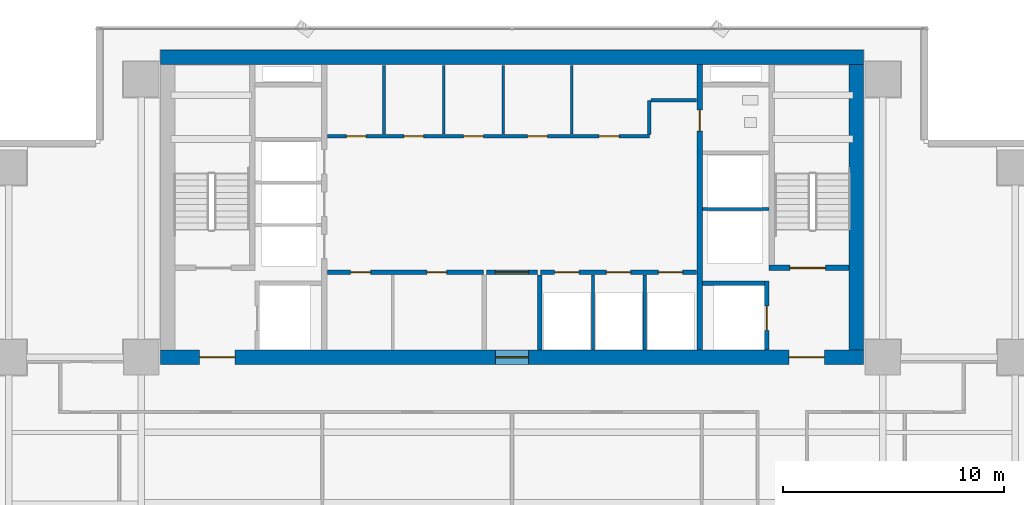
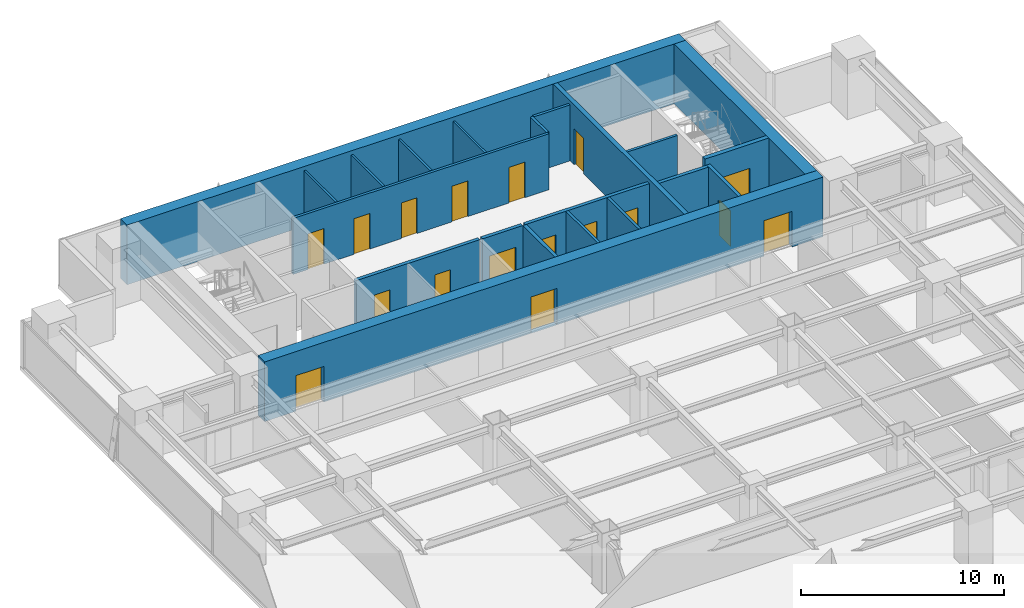
# One storey, part 22 of 28: 21 walls, 17 doors, 17 openings.
"""IFC4 building model written with IfcOpenShell, lengths in metres."""

from ifc_helpers import new_model, si_unit, direction, frame, frame_2d, origin, place, context, subcontext, project, spatial, rectangle, extrude, source, transform, mapped, material, layer, layer_set, type_object, element, fill, save


model = new_model("IFC4")

# Units and contexts
model_context = context("Model", 3, precision=1e-05, world=origin(), true_north=direction((0.0, 1.0)))
body_context = subcontext(model_context, "Body", "Model", "MODEL_VIEW")
ifc_project = project(units=[si_unit("LENGTHUNIT", "METRE"), si_unit("AREAUNIT", "SQUARE_METRE"), si_unit("VOLUMEUNIT", "CUBIC_METRE"), si_unit("PLANEANGLEUNIT", "RADIAN"), si_unit("MASSUNIT", "GRAM", prefix="KILO")], contexts=[model_context])

# Site, building, storey
site_placement = place(None, origin())
site = spatial("IfcSite", under=ifc_project, at=site_placement, CompositionType="ELEMENT")
building_placement = place(site_placement, origin())
building = spatial("IfcBuilding", under=site, at=building_placement, Name="Sumidabori Civic Tower", CompositionType="ELEMENT")
storey_placement = place(building_placement, frame((0.0, 0.0, 182.0)))
storey = spatial("IfcBuildingStorey", under=building, at=storey_placement, Name="L47", CompositionType="ELEMENT", Elevation=182.0)

# Walls
ifc_material_1 = material(Name="Concrete C50/60", Category="concrete")
ifc_layer_1 = layer(ifc_material_1, 0.199951171875, Name="Concrete C50/60")
ifc_layer_set_1 = layer_set([ifc_layer_1], Name="Concrete C50/60")
wall_type_1 = type_object("IfcWallType", Name="WL-SHAFT-200", PredefinedType="SHEAR", material=ifc_layer_set_1)
shared_shape_1 = source(origin(), body_context, "Body", "SweptSolid", [
    extrude(rectangle(XDim=2.824951171875, YDim=0.199951171875, at=frame_2d((1.41259765625, 0.0))), origin(), (0.0, 0.0, 1.0), 3.60009765625),
])
wall_1_placement = place(storey_placement, frame((8.625, 13.550048828125, 0.0), z_axis=(0.0, 0.0, 1.0), x_axis=(1.0, 0.0, 0.0)))
element("IfcWall", 1, at=wall_1_placement, inside=storey, type_object=wall_type_1, Name="Core Shear Wall L47 EL2-N", PredefinedType="SHEAR", context=body_context, shape_type="MappedRepresentation", body=[
    mapped(shared_shape_1, transform((0.0, 0.0, 0.0), x_axis=(1.0, 0.0, 0.0), y_axis=(0.0, 1.0, 0.0), z_axis=(0.0, 0.0, 1.0), scale=1.0)),
])
ifc_material_2 = material(Name="Concrete C60/75", Category="concrete")
ifc_layer_2 = layer(ifc_material_2, 0.64990234375, Name="Concrete C60/75")
ifc_layer_set_2 = layer_set([ifc_layer_2], Name="Concrete C60/75")
wall_type_2 = type_object("IfcWallType", Name="WL-CORE-650", PredefinedType="SHEAR", material=ifc_layer_set_2)
shared_shape_2 = source(origin(), body_context, "Body", "SweptSolid", [
    extrude(rectangle(XDim=31.85009765625, YDim=0.64990234375, at=frame_2d((15.925048828125, 0.0))), origin(), (0.0, 0.0, 1.0), 3.60009765625),
])
wall_2_placement = place(storey_placement, frame((-15.925048828125, 23.800048828125, 0.0), z_axis=(0.0, 0.0, 1.0), x_axis=(1.0, 0.0, 0.0)))
element("IfcWall", 2, at=wall_2_placement, inside=storey, type_object=wall_type_2, Name="Core Shear Wall L47 N", PredefinedType="SHEAR", context=body_context, shape_type="MappedRepresentation", body=[
    mapped(shared_shape_2, transform((0.0, 0.0, 0.0), x_axis=(1.0, 0.0, 0.0), y_axis=(0.0, 1.0, 0.0), z_axis=(0.0, 0.0, 1.0), scale=1.0)),
])

# Wall, openings, doors
wall_3_placement = place(storey_placement, frame((-15.925048828125, 10.199951171875, 0.0), z_axis=(0.0, 0.0, 1.0), x_axis=(1.0, 0.0, 0.0)))
wall_3 = element("IfcWall", 3, at=wall_3_placement, inside=storey, type_object=wall_type_2, Name="Core Shear Wall L47 S", PredefinedType="SHEAR", context=body_context, shape_type="MappedRepresentation", body=[
    mapped(shared_shape_2, transform((0.0, 0.0, 0.0), x_axis=(1.0, 0.0, 0.0), y_axis=(0.0, 1.0, 0.0), z_axis=(0.0, 0.0, 1.0), scale=1.0)),
])
opening_1_placement = place(wall_3_placement, frame((1.77490234375, 0.0, 0.0)))
opening_1 = element("IfcOpeningElement", 4, at=opening_1_placement, cuts=wall_3, Name="Opening DR-FD4", PredefinedType="OPENING", context=body_context, shape_type="SweptSolid", body=[
    extrude(rectangle(XDim=1.60009765625, YDim=2.14990234375, at=frame_2d((0.800048828125, 1.074951171875))), frame((0.0, 0.3369140625, 0.0), z_axis=(0.0, -1.0, 0.0), x_axis=(1.0, 0.0, 0.0)), (0.0, 0.0, 1.0), 0.673828125),
])
opening_2_placement = place(wall_3_placement, frame((28.47509765625, 0.0, 0.0)))
opening_2 = element("IfcOpeningElement", 5, at=opening_2_placement, cuts=wall_3, Name="Opening DR-FD4", PredefinedType="OPENING", context=body_context, shape_type="SweptSolid", body=[
    extrude(rectangle(XDim=1.60009765625, YDim=2.14990234375, at=frame_2d((0.800048828125, 1.074951171875))), frame((0.0, 0.3369140625, 0.0), z_axis=(0.0, -1.0, 0.0), x_axis=(1.0, 0.0, 0.0)), (0.0, 0.0, 1.0), 0.673828125),
])
opening_3_placement = place(wall_3_placement, frame((15.175048828125, 0.0, 0.0)))
opening_3 = element("IfcOpeningElement", 6, at=opening_3_placement, cuts=wall_3, Name="Opening DR-FD3", PredefinedType="OPENING", context=body_context, shape_type="SweptSolid", body=[
    extrude(rectangle(XDim=1.5, YDim=2.199951171875, at=frame_2d((0.75, 1.10009765625))), frame((0.0, 0.3369140625, 0.0), z_axis=(0.0, -1.0, 0.0), x_axis=(1.0, 0.0, 0.0)), (0.0, 0.0, 1.0), 0.673828125),
])
ifc_material_3 = material(Name="Steel SN490", Category="steel")
door_type_1 = type_object("IfcDoorType", Name="DR-FD4", OperationType="DOUBLE_DOOR_SINGLE_SWING", PredefinedType="DOOR", material=ifc_material_3)
shared_shape_3 = source(origin(), body_context, "Body", "SweptSolid", [
    extrude(rectangle(XDim=1.60009765625, YDim=2.14990234375, at=frame_2d((0.800048828125, 1.074951171875))), frame((0.0, 0.02490234375, 0.0), z_axis=(0.0, -1.0, 0.0), x_axis=(1.0, 0.0, 0.0)), (0.0, 0.0, 1.0), 0.050048828125),
])
door_1_placement = place(opening_1_placement, origin())
door_1 = element("IfcDoor", 7, at=door_1_placement, inside=storey, type_object=door_type_1, Name="Door DR:L47:ELOB-W", OperationType="DOUBLE_DOOR_SINGLE_SWING", OverallHeight=2.14990234375, OverallWidth=1.60009765625, PredefinedType="DOOR", context=body_context, shape_type="MappedRepresentation", body=[
    mapped(shared_shape_3, transform((0.0, 0.0, 0.0), x_axis=(1.0, 0.0, 0.0), y_axis=(0.0, 1.0, 0.0), z_axis=(0.0, 0.0, 1.0), scale=1.0)),
])
fill(opening_1, door_1)
door_2_placement = place(opening_2_placement, origin())
door_2 = element("IfcDoor", 8, at=door_2_placement, inside=storey, type_object=door_type_1, Name="Door DR:L47:ELOB-E", OperationType="DOUBLE_DOOR_SINGLE_SWING", OverallHeight=2.14990234375, OverallWidth=1.60009765625, PredefinedType="DOOR", context=body_context, shape_type="MappedRepresentation", body=[
    mapped(shared_shape_3, transform((0.0, 0.0, 0.0), x_axis=(1.0, 0.0, 0.0), y_axis=(0.0, 1.0, 0.0), z_axis=(0.0, 0.0, 1.0), scale=1.0)),
])
fill(opening_2, door_2)
door_type_2 = type_object("IfcDoorType", Name="DR-FD-DBL", OperationType="DOUBLE_DOOR_SINGLE_SWING", PredefinedType="DOOR", material=ifc_material_3)
shared_shape_4 = source(origin(), body_context, "Body", "SweptSolid", [
    extrude(rectangle(XDim=1.5, YDim=2.199951171875, at=frame_2d((0.75, 1.10009765625))), frame((0.0, 0.02490234375, 0.0), z_axis=(0.0, -1.0, 0.0), x_axis=(1.0, 0.0, 0.0)), (0.0, 0.0, 1.0), 0.050048828125),
])
door_3_placement = place(opening_3_placement, origin())
door_3 = element("IfcDoor", 9, at=door_3_placement, inside=storey, type_object=door_type_2, Name="Door DR:L47:THROAT-OUT", OperationType="DOUBLE_DOOR_SINGLE_SWING", OverallHeight=2.199951171875, OverallWidth=1.5, PredefinedType="DOOR", context=body_context, shape_type="MappedRepresentation", body=[
    mapped(shared_shape_4, transform((0.0, 0.0, 0.0), x_axis=(1.0, 0.0, 0.0), y_axis=(0.0, 1.0, 0.0), z_axis=(0.0, 0.0, 1.0), scale=1.0)),
])
fill(opening_3, door_3)

# Wall
shared_shape_5 = source(origin(), body_context, "Body", "SweptSolid", [
    extrude(rectangle(XDim=12.9501953125, YDim=0.64990234375, at=frame_2d((6.47509765625, 0.0))), origin(), (0.0, 0.0, 1.0), 3.60009765625),
])
wall_4_placement = place(storey_placement, frame((15.60009765625, 10.52490234375, 0.0), z_axis=(0.0, 0.0, 1.0), x_axis=(0.0, 1.0, 0.0)))
element("IfcWall", 10, at=wall_4_placement, inside=storey, type_object=wall_type_2, Name="Core Shear Wall L47 E", PredefinedType="SHEAR", context=body_context, shape_type="MappedRepresentation", body=[
    mapped(shared_shape_5, transform((0.0, 0.0, 0.0), x_axis=(1.0, 0.0, 0.0), y_axis=(0.0, 1.0, 0.0), z_axis=(0.0, 0.0, 1.0), scale=1.0)),
])

# Wall, opening, door
ifc_layer_3 = layer(ifc_material_1, 0.25, Name="Concrete C50/60")
ifc_layer_set_3 = layer_set([ifc_layer_3], Name="Concrete C50/60")
wall_type_3 = type_object("IfcWallType", Name="WL-SHAFT-250", PredefinedType="SHEAR", material=ifc_layer_set_3)
shared_shape_6 = source(origin(), body_context, "Body", "SweptSolid", [
    extrude(rectangle(XDim=12.9501953125, YDim=0.25, at=frame_2d((6.47509765625, 0.0))), origin(), (0.0, 0.0, 1.0), 3.60009765625),
])
wall_5_placement = place(storey_placement, frame((8.5, 10.52490234375, 0.0), z_axis=(0.0, 0.0, 1.0), x_axis=(0.0, 1.0, 0.0)))
wall_5 = element("IfcWall", 11, at=wall_5_placement, inside=storey, type_object=wall_type_3, Name="Core Shear Wall L47 WEB-E", PredefinedType="SHEAR", context=body_context, shape_type="MappedRepresentation", body=[
    mapped(shared_shape_6, transform((0.0, 0.0, 0.0), x_axis=(1.0, 0.0, 0.0), y_axis=(0.0, 1.0, 0.0), z_axis=(0.0, 0.0, 1.0), scale=1.0)),
])
opening_4_placement = place(wall_5_placement, frame((9.925048828125, 0.0, 0.0)))
opening_4 = element("IfcOpeningElement", 12, at=opening_4_placement, cuts=wall_5, Name="Opening DR-2", PredefinedType="OPENING", context=body_context, shape_type="SweptSolid", body=[
    extrude(rectangle(XDim=0.949951171875, YDim=2.14990234375, at=frame_2d((0.47509765625, 1.074951171875))), frame((0.0, 0.136962890625, 0.0), z_axis=(0.0, -1.0, 0.0), x_axis=(1.0, 0.0, 0.0)), (0.0, 0.0, 1.0), 0.27392578125),
])
ifc_material_4 = material(Name="Japanese Hinoki Timber", Category="wood")
door_type_3 = type_object("IfcDoorType", Name="DR-INT-950", OperationType="NOTDEFINED", PredefinedType="DOOR", material=ifc_material_4)
shared_shape_7 = source(origin(), body_context, "Body", "SweptSolid", [
    extrude(rectangle(XDim=0.949951171875, YDim=2.14990234375, at=frame_2d((0.47509765625, 1.074951171875))), frame((0.0, 0.02490234375, 0.0), z_axis=(0.0, -1.0, 0.0), x_axis=(1.0, 0.0, 0.0)), (0.0, 0.0, 1.0), 0.050048828125),
])
door_4_placement = place(opening_4_placement, origin())
door_4 = element("IfcDoor", 13, at=door_4_placement, inside=storey, type_object=door_type_3, Name="Door DR:L47:WC-ACC", OperationType="SINGLE_SWING_RIGHT", OverallHeight=2.14990234375, OverallWidth=0.949951171875, PredefinedType="DOOR", context=body_context, shape_type="MappedRepresentation", body=[
    mapped(shared_shape_7, transform((0.0, 0.0, 0.0), x_axis=(1.0, 0.0, 0.0), y_axis=(0.0, 1.0, 0.0), z_axis=(0.0, 0.0, 1.0), scale=1.0)),
])
fill(opening_4, door_4)

shared_shape_8 = source(origin(), body_context, "Body", "SweptSolid", [
    extrude(rectangle(XDim=3.6298828125, YDim=0.25, at=frame_2d((1.81494140625, 0.0))), origin(), (0.0, 0.0, 1.0), 3.60009765625),
])
wall_6_placement = place(storey_placement, frame((11.64501953125, 14.25, 0.0), z_axis=(0.0, 0.0, 1.0), x_axis=(1.0, 0.0, 0.0)))
wall_6 = element("IfcWall", 14, at=wall_6_placement, inside=storey, type_object=wall_type_3, Name="Core Shear Wall L47 ST2-S", PredefinedType="SHEAR", context=body_context, shape_type="MappedRepresentation", body=[
    mapped(shared_shape_8, transform((0.0, 0.0, 0.0), x_axis=(1.0, 0.0, 0.0), y_axis=(0.0, 1.0, 0.0), z_axis=(0.0, 0.0, 1.0), scale=1.0)),
])
opening_5_placement = place(wall_6_placement, frame((0.949951171875, 0.0, 0.0)))
opening_5 = element("IfcOpeningElement", 15, at=opening_5_placement, cuts=wall_6, Name="Opening DR-FD4", PredefinedType="OPENING", context=body_context, shape_type="SweptSolid", body=[
    extrude(rectangle(XDim=1.60009765625, YDim=2.14990234375, at=frame_2d((0.800048828125, 1.074951171875))), frame((0.0, 0.136962890625, 0.0), z_axis=(0.0, -1.0, 0.0), x_axis=(1.0, 0.0, 0.0)), (0.0, 0.0, 1.0), 0.27392578125),
])
door_5_placement = place(opening_5_placement, origin())
door_5 = element("IfcDoor", 16, at=door_5_placement, inside=storey, type_object=door_type_1, Name="Door DR:L47:ST2", OperationType="DOUBLE_DOOR_SINGLE_SWING", OverallHeight=2.14990234375, OverallWidth=1.60009765625, PredefinedType="DOOR", context=body_context, shape_type="MappedRepresentation", body=[
    mapped(shared_shape_3, transform((0.0, 0.0, 0.0), x_axis=(1.0, 0.0, 0.0), y_axis=(0.0, 1.0, 0.0), z_axis=(0.0, 0.0, 1.0), scale=1.0)),
])
fill(opening_5, door_5)

shared_shape_9 = source(origin(), body_context, "Body", "SweptSolid", [
    extrude(rectangle(XDim=3.125, YDim=0.199951171875, at=frame_2d((1.5625, 0.0))), origin(), (0.0, 0.0, 1.0), 3.60009765625),
])
wall_7_placement = place(storey_placement, frame((11.550048828125, 10.52490234375, 0.0), z_axis=(0.0, 0.0, 1.0), x_axis=(0.0, 1.0, 0.0)))
wall_7 = element("IfcWall", 17, at=wall_7_placement, inside=storey, type_object=wall_type_1, Name="Core Shear Wall L47 EL2-E", PredefinedType="SHEAR", context=body_context, shape_type="MappedRepresentation", body=[
    mapped(shared_shape_9, transform((0.0, 0.0, 0.0), x_axis=(1.0, 0.0, 0.0), y_axis=(0.0, 1.0, 0.0), z_axis=(0.0, 0.0, 1.0), scale=1.0)),
])
opening_6_placement = place(wall_7_placement, frame((0.89990234375, 0.0, 0.0)))
opening_6 = element("IfcOpeningElement", 18, at=opening_6_placement, cuts=wall_7, Name="Opening LD-2", PredefinedType="OPENING", context=body_context, shape_type="SweptSolid", body=[
    extrude(rectangle(XDim=1.10009765625, YDim=2.14990234375, at=frame_2d((0.550048828125, 1.074951171875))), frame((0.0, 0.11181640625, 0.0), z_axis=(0.0, -1.0, 0.0), x_axis=(1.0, 0.0, 0.0)), (0.0, 0.0, 1.0), 0.223876953125),
])
ifc_material_5 = material(Name="Stainless Steel Hairline Finish", Category="steel")
door_type_4 = type_object("IfcDoorType", Name="DR-LD2", OperationType="DOUBLE_DOOR_SLIDING", PredefinedType="DOOR", material=ifc_material_5)
shared_shape_10 = source(origin(), body_context, "Body", "SweptSolid", [
    extrude(rectangle(XDim=1.10009765625, YDim=2.14990234375, at=frame_2d((0.550048828125, 1.074951171875))), frame((0.0, 0.02490234375, 0.0), z_axis=(0.0, -1.0, 0.0), x_axis=(1.0, 0.0, 0.0)), (0.0, 0.0, 1.0), 0.050048828125),
])
door_6_placement = place(opening_6_placement, origin())
door_6 = element("IfcDoor", 19, at=door_6_placement, inside=storey, type_object=door_type_4, Name="Door DR:L47:LD-EL2", OperationType="DOUBLE_DOOR_SLIDING", OverallHeight=2.14990234375, OverallWidth=1.10009765625, PredefinedType="DOOR", context=body_context, shape_type="MappedRepresentation", body=[
    mapped(shared_shape_10, transform((0.0, 0.0, 0.0), x_axis=(1.0, 0.0, 0.0), y_axis=(0.0, 1.0, 0.0), z_axis=(0.0, 0.0, 1.0), scale=1.0)),
])
fill(opening_6, door_6)

# Wall
ifc_material_6 = material(Name="Gypsum Plasterboard Acoustic Partition")
ifc_layer_4 = layer(ifc_material_6, 0.14990234375, Name="Gypsum Plasterboard Acoustic Partition")
ifc_layer_set_4 = layer_set([ifc_layer_4], Name="Gypsum Plasterboard Acoustic Partition")
wall_type_4 = type_object("IfcWallType", Name="WL-PART-150", PredefinedType="PARTITIONING", material=ifc_layer_set_4)
shared_shape_11 = source(origin(), body_context, "Body", "SweptSolid", [
    extrude(rectangle(XDim=3.010009765625, YDim=0.14990234375, at=frame_2d((1.5048828125, 0.0))), origin(), (0.0, 0.0, 1.0), 3.3798828125),
])
wall_8_placement = place(storey_placement, frame((8.6298828125, 16.919921875, 0.0), z_axis=(0.0, 0.0, 1.0), x_axis=(1.0, 0.0, 0.0)))
element("IfcWall", 20, at=wall_8_placement, inside=storey, type_object=wall_type_4, Name="Interior Partition WL:L47:DIV-OBS1", PredefinedType="PARTITIONING", context=body_context, shape_type="MappedRepresentation", body=[
    mapped(shared_shape_11, transform((0.0, 0.0, 0.0), x_axis=(1.0, 0.0, 0.0), y_axis=(0.0, 1.0, 0.0), z_axis=(0.0, 0.0, 1.0), scale=1.0)),
])

# Wall, openings, doors
ifc_material_7 = material(Name="Gypsum Plasterboard Fire Partition")
ifc_layer_5 = layer(ifc_material_7, 0.199951171875, Name="Gypsum Plasterboard Fire Partition")
ifc_layer_set_5 = layer_set([ifc_layer_5], Name="Gypsum Plasterboard Fire Partition")
wall_type_5 = type_object("IfcWallType", Name="WL-PART-FIRE", PredefinedType="PARTITIONING", material=ifc_layer_set_5)
shared_shape_12 = source(origin(), body_context, "Body", "SweptSolid", [
    extrude(rectangle(XDim=7.070068359375, YDim=0.199951171875, at=frame_2d((3.53515625, 0.0))), origin(), (0.0, 0.0, 1.0), 3.3798828125),
])
wall_9_placement = place(storey_placement, frame((-8.3701171875, 14.050048828125, 0.0), z_axis=(0.0, 0.0, 1.0), x_axis=(1.0, 0.0, 0.0)))
wall_9 = element("IfcWall", 21, at=wall_9_placement, inside=storey, type_object=wall_type_5, Name="Interior Partition WL:L47:CBAND-SW", PredefinedType="PARTITIONING", context=body_context, shape_type="MappedRepresentation", body=[
    mapped(shared_shape_12, transform((0.0, 0.0, 0.0), x_axis=(1.0, 0.0, 0.0), y_axis=(0.0, 1.0, 0.0), z_axis=(0.0, 0.0, 1.0), scale=1.0)),
])
opening_7_placement = place(wall_9_placement, frame((1.06005859375, 0.0, 0.0)))
opening_7 = element("IfcOpeningElement", 22, at=opening_7_placement, cuts=wall_9, Name="Opening DR-1", PredefinedType="OPENING", context=body_context, shape_type="SweptSolid", body=[
    extrude(rectangle(XDim=0.89990234375, YDim=2.14990234375, at=frame_2d((0.449951171875, 1.074951171875))), frame((0.0, 0.11181640625, 0.0), z_axis=(0.0, -1.0, 0.0), x_axis=(1.0, 0.0, 0.0)), (0.0, 0.0, 1.0), 0.223876953125),
])
opening_8_placement = place(wall_9_placement, frame((4.510009765625, 0.0, 0.0)))
opening_8 = element("IfcOpeningElement", 23, at=opening_8_placement, cuts=wall_9, Name="Opening DR-1", PredefinedType="OPENING", context=body_context, shape_type="SweptSolid", body=[
    extrude(rectangle(XDim=0.89990234375, YDim=2.14990234375, at=frame_2d((0.449951171875, 1.074951171875))), frame((0.0, 0.11181640625, 0.0), z_axis=(0.0, -1.0, 0.0), x_axis=(1.0, 0.0, 0.0)), (0.0, 0.0, 1.0), 0.223876953125),
])
door_type_5 = type_object("IfcDoorType", Name="DR-INT-900", OperationType="NOTDEFINED", PredefinedType="DOOR", material=ifc_material_4)
shared_shape_13 = source(origin(), body_context, "Body", "SweptSolid", [
    extrude(rectangle(XDim=0.89990234375, YDim=2.14990234375, at=frame_2d((0.449951171875, 1.074951171875))), frame((0.0, 0.02490234375, 0.0), z_axis=(0.0, -1.0, 0.0), x_axis=(1.0, 0.0, 0.0)), (0.0, 0.0, 1.0), 0.050048828125),
])
door_7_placement = place(opening_7_placement, origin())
door_7 = element("IfcDoor", 24, at=door_7_placement, inside=storey, type_object=door_type_5, Name="Door DR:L47:REC-B1A", OperationType="SINGLE_SWING_LEFT", OverallHeight=2.14990234375, OverallWidth=0.89990234375, PredefinedType="DOOR", context=body_context, shape_type="MappedRepresentation", body=[
    mapped(shared_shape_13, transform((0.0, 0.0, 0.0), x_axis=(1.0, 0.0, 0.0), y_axis=(0.0, 1.0, 0.0), z_axis=(0.0, 0.0, 1.0), scale=1.0)),
])
fill(opening_7, door_7)
door_8_placement = place(opening_8_placement, origin())
door_8 = element("IfcDoor", 25, at=door_8_placement, inside=storey, type_object=door_type_5, Name="Door DR:L47:REC-B1B", OperationType="SINGLE_SWING_RIGHT", OverallHeight=2.14990234375, OverallWidth=0.89990234375, PredefinedType="DOOR", context=body_context, shape_type="MappedRepresentation", body=[
    mapped(shared_shape_13, transform((0.0, 0.0, 0.0), x_axis=(1.0, 0.0, 0.0), y_axis=(0.0, 1.0, 0.0), z_axis=(0.0, 0.0, 1.0), scale=1.0)),
])
fill(opening_8, door_8)

wall_10_placement = place(storey_placement, frame((1.300048828125, 14.050048828125, 0.0), z_axis=(0.0, 0.0, 1.0), x_axis=(1.0, 0.0, 0.0)))
wall_10 = element("IfcWall", 26, at=wall_10_placement, inside=storey, type_object=wall_type_5, Name="Interior Partition WL:L47:CBAND-SE", PredefinedType="PARTITIONING", context=body_context, shape_type="MappedRepresentation", body=[
    mapped(shared_shape_12, transform((0.0, 0.0, 0.0), x_axis=(1.0, 0.0, 0.0), y_axis=(0.0, 1.0, 0.0), z_axis=(0.0, 0.0, 1.0), scale=1.0)),
])
opening_9_placement = place(wall_10_placement, frame((0.6298828125, 0.0, 0.0)))
opening_9 = element("IfcOpeningElement", 27, at=opening_9_placement, cuts=wall_10, Name="Opening LD-1", PredefinedType="OPENING", context=body_context, shape_type="SweptSolid", body=[
    extrude(rectangle(XDim=1.10009765625, YDim=2.14990234375, at=frame_2d((0.550048828125, 1.074951171875))), frame((0.0, 0.11181640625, 0.0), z_axis=(0.0, -1.0, 0.0), x_axis=(1.0, 0.0, 0.0)), (0.0, 0.0, 1.0), 0.223876953125),
])
opening_10_placement = place(wall_10_placement, frame((2.97998046875, 0.0, 0.0)))
opening_10 = element("IfcOpeningElement", 28, at=opening_10_placement, cuts=wall_10, Name="Opening LD-1", PredefinedType="OPENING", context=body_context, shape_type="SweptSolid", body=[
    extrude(rectangle(XDim=1.10009765625, YDim=2.14990234375, at=frame_2d((0.550048828125, 1.074951171875))), frame((0.0, 0.11181640625, 0.0), z_axis=(0.0, -1.0, 0.0), x_axis=(1.0, 0.0, 0.0)), (0.0, 0.0, 1.0), 0.223876953125),
])
opening_11_placement = place(wall_10_placement, frame((5.330078125, 0.0, 0.0)))
opening_11 = element("IfcOpeningElement", 29, at=opening_11_placement, cuts=wall_10, Name="Opening LD-1", PredefinedType="OPENING", context=body_context, shape_type="SweptSolid", body=[
    extrude(rectangle(XDim=1.10009765625, YDim=2.14990234375, at=frame_2d((0.550048828125, 1.074951171875))), frame((0.0, 0.11181640625, 0.0), z_axis=(0.0, -1.0, 0.0), x_axis=(1.0, 0.0, 0.0)), (0.0, 0.0, 1.0), 0.223876953125),
])
door_type_6 = type_object("IfcDoorType", Name="DR-LD1", OperationType="DOUBLE_DOOR_SLIDING", PredefinedType="DOOR", material=ifc_material_5)
door_9_placement = place(opening_9_placement, origin())
door_9 = element("IfcDoor", 30, at=door_9_placement, inside=storey, type_object=door_type_6, Name="Door DR:L47:LD-PLM1", OperationType="DOUBLE_DOOR_SLIDING", OverallHeight=2.14990234375, OverallWidth=1.10009765625, PredefinedType="DOOR", context=body_context, shape_type="MappedRepresentation", body=[
    mapped(shared_shape_10, transform((0.0, 0.0, 0.0), x_axis=(1.0, 0.0, 0.0), y_axis=(0.0, 1.0, 0.0), z_axis=(0.0, 0.0, 1.0), scale=1.0)),
])
fill(opening_9, door_9)
door_10_placement = place(opening_10_placement, origin())
door_10 = element("IfcDoor", 31, at=door_10_placement, inside=storey, type_object=door_type_6, Name="Door DR:L47:LD-PLM2", OperationType="DOUBLE_DOOR_SLIDING", OverallHeight=2.14990234375, OverallWidth=1.10009765625, PredefinedType="DOOR", context=body_context, shape_type="MappedRepresentation", body=[
    mapped(shared_shape_10, transform((0.0, 0.0, 0.0), x_axis=(1.0, 0.0, 0.0), y_axis=(0.0, 1.0, 0.0), z_axis=(0.0, 0.0, 1.0), scale=1.0)),
])
fill(opening_10, door_10)
door_11_placement = place(opening_11_placement, origin())
door_11 = element("IfcDoor", 32, at=door_11_placement, inside=storey, type_object=door_type_6, Name="Door DR:L47:LD-PLM3", OperationType="DOUBLE_DOOR_SLIDING", OverallHeight=2.14990234375, OverallWidth=1.10009765625, PredefinedType="DOOR", context=body_context, shape_type="MappedRepresentation", body=[
    mapped(shared_shape_10, transform((0.0, 0.0, 0.0), x_axis=(1.0, 0.0, 0.0), y_axis=(0.0, 1.0, 0.0), z_axis=(0.0, 0.0, 1.0), scale=1.0)),
])
fill(opening_11, door_11)

# Wall
shared_shape_14 = source(origin(), body_context, "Body", "SweptSolid", [
    extrude(rectangle(XDim=3.4150390625, YDim=0.199951171875, at=frame_2d((1.70751953125, 0.0))), origin(), (0.0, 0.0, 1.0), 3.3798828125),
])
wall_11_placement = place(storey_placement, frame((1.25, 10.52490234375, 0.0), z_axis=(0.0, 0.0, 1.0), x_axis=(0.0, 1.0, 0.0)))
element("IfcWall", 33, at=wall_11_placement, inside=storey, type_object=wall_type_5, Name="Interior Partition WL:L47:THROAT-E", PredefinedType="PARTITIONING", context=body_context, shape_type="MappedRepresentation", body=[
    mapped(shared_shape_14, transform((0.0, 0.0, 0.0), x_axis=(1.0, 0.0, 0.0), y_axis=(0.0, 1.0, 0.0), z_axis=(0.0, 0.0, 1.0), scale=1.0)),
])

# Wall, opening, door
shared_shape_15 = source(origin(), body_context, "Body", "SweptSolid", [
    extrude(rectangle(XDim=2.2998046875, YDim=0.199951171875, at=frame_2d((1.14990234375, 0.0))), origin(), (0.0, 0.0, 1.0), 3.3798828125),
])
wall_12_placement = place(storey_placement, frame((-1.14990234375, 14.050048828125, 0.0), z_axis=(0.0, 0.0, 1.0), x_axis=(1.0, 0.0, 0.0)))
wall_12 = element("IfcWall", 34, at=wall_12_placement, inside=storey, type_object=wall_type_5, Name="Interior Partition WL:L47:THROAT-N", PredefinedType="PARTITIONING", context=body_context, shape_type="MappedRepresentation", body=[
    mapped(shared_shape_15, transform((0.0, 0.0, 0.0), x_axis=(1.0, 0.0, 0.0), y_axis=(0.0, 1.0, 0.0), z_axis=(0.0, 0.0, 1.0), scale=1.0)),
])
opening_12_placement = place(wall_12_placement, frame((0.39990234375, 0.0, 0.0)))
opening_12 = element("IfcOpeningElement", 35, at=opening_12_placement, cuts=wall_12, Name="Opening DR-FD3", PredefinedType="OPENING", context=body_context, shape_type="SweptSolid", body=[
    extrude(rectangle(XDim=1.5, YDim=2.199951171875, at=frame_2d((0.75, 1.10009765625))), frame((0.0, 0.11181640625, 0.0), z_axis=(0.0, -1.0, 0.0), x_axis=(1.0, 0.0, 0.0)), (0.0, 0.0, 1.0), 0.223876953125),
])
door_12_placement = place(opening_12_placement, origin())
door_12 = element("IfcDoor", 36, at=door_12_placement, inside=storey, type_object=door_type_2, Name="Door DR:L47:THROAT-IN", OperationType="DOUBLE_DOOR_SINGLE_SWING", OverallHeight=2.199951171875, OverallWidth=1.5, PredefinedType="DOOR", context=body_context, shape_type="MappedRepresentation", body=[
    mapped(shared_shape_4, transform((0.0, 0.0, 0.0), x_axis=(1.0, 0.0, 0.0), y_axis=(0.0, 1.0, 0.0), z_axis=(0.0, 0.0, 1.0), scale=1.0)),
])
fill(opening_12, door_12)

# Wall, openings, doors
shared_shape_16 = source(origin(), body_context, "Body", "SweptSolid", [
    extrude(rectangle(XDim=14.590087890625, YDim=0.14990234375, at=frame_2d((7.294921875, 0.0))), origin(), (0.0, 0.0, 1.0), 3.3798828125),
])
wall_13_placement = place(storey_placement, frame((-8.3701171875, 20.219970703125, 0.0), z_axis=(0.0, 0.0, 1.0), x_axis=(1.0, 0.0, 0.0)))
wall_13 = element("IfcWall", 37, at=wall_13_placement, inside=storey, type_object=wall_type_4, Name="Interior Partition WL:L47:CBAND-M", PredefinedType="PARTITIONING", context=body_context, shape_type="MappedRepresentation", body=[
    mapped(shared_shape_16, transform((0.0, 0.0, 0.0), x_axis=(1.0, 0.0, 0.0), y_axis=(0.0, 1.0, 0.0), z_axis=(0.0, 0.0, 1.0), scale=1.0)),
])
opening_13_placement = place(wall_13_placement, frame((0.860107421875, 0.0, 0.0)))
opening_13 = element("IfcOpeningElement", 38, at=opening_13_placement, cuts=wall_13, Name="Opening DR-1", PredefinedType="OPENING", context=body_context, shape_type="SweptSolid", body=[
    extrude(rectangle(XDim=0.89990234375, YDim=2.14990234375, at=frame_2d((0.449951171875, 1.074951171875))), frame((0.0, 0.0869140625, 0.0), z_axis=(0.0, -1.0, 0.0), x_axis=(1.0, 0.0, 0.0)), (0.0, 0.0, 1.0), 0.173828125),
])
opening_14_placement = place(wall_13_placement, frame((3.469970703125, 0.0, 0.0)))
opening_14 = element("IfcOpeningElement", 39, at=opening_14_placement, cuts=wall_13, Name="Opening DR-1", PredefinedType="OPENING", context=body_context, shape_type="SweptSolid", body=[
    extrude(rectangle(XDim=0.89990234375, YDim=2.14990234375, at=frame_2d((0.449951171875, 1.074951171875))), frame((0.0, 0.0869140625, 0.0), z_axis=(0.0, -1.0, 0.0), x_axis=(1.0, 0.0, 0.0)), (0.0, 0.0, 1.0), 0.173828125),
])
opening_15_placement = place(wall_13_placement, frame((6.169921875, 0.0, 0.0)))
opening_15 = element("IfcOpeningElement", 40, at=opening_15_placement, cuts=wall_13, Name="Opening DR-1", PredefinedType="OPENING", context=body_context, shape_type="SweptSolid", body=[
    extrude(rectangle(XDim=0.89990234375, YDim=2.14990234375, at=frame_2d((0.449951171875, 1.074951171875))), frame((0.0, 0.0869140625, 0.0), z_axis=(0.0, -1.0, 0.0), x_axis=(1.0, 0.0, 0.0)), (0.0, 0.0, 1.0), 0.173828125),
])
opening_16_placement = place(wall_13_placement, frame((9.070068359375, 0.0, 0.0)))
opening_16 = element("IfcOpeningElement", 41, at=opening_16_placement, cuts=wall_13, Name="Opening DR-1", PredefinedType="OPENING", context=body_context, shape_type="SweptSolid", body=[
    extrude(rectangle(XDim=0.89990234375, YDim=2.14990234375, at=frame_2d((0.449951171875, 1.074951171875))), frame((0.0, 0.0869140625, 0.0), z_axis=(0.0, -1.0, 0.0), x_axis=(1.0, 0.0, 0.0)), (0.0, 0.0, 1.0), 0.173828125),
])
opening_17_placement = place(wall_13_placement, frame((12.320068359375, 0.0, 0.0)))
opening_17 = element("IfcOpeningElement", 42, at=opening_17_placement, cuts=wall_13, Name="Opening DR-1", PredefinedType="OPENING", context=body_context, shape_type="SweptSolid", body=[
    extrude(rectangle(XDim=0.89990234375, YDim=2.14990234375, at=frame_2d((0.449951171875, 1.074951171875))), frame((0.0, 0.0869140625, 0.0), z_axis=(0.0, -1.0, 0.0), x_axis=(1.0, 0.0, 0.0)), (0.0, 0.0, 1.0), 0.173828125),
])
door_13_placement = place(opening_13_placement, origin())
door_13 = element("IfcDoor", 43, at=door_13_placement, inside=storey, type_object=door_type_5, Name="Door DR:L47:CB-1", OperationType="SINGLE_SWING_LEFT", OverallHeight=2.14990234375, OverallWidth=0.89990234375, PredefinedType="DOOR", context=body_context, shape_type="MappedRepresentation", body=[
    mapped(shared_shape_13, transform((0.0, 0.0, 0.0), x_axis=(1.0, 0.0, 0.0), y_axis=(0.0, 1.0, 0.0), z_axis=(0.0, 0.0, 1.0), scale=1.0)),
])
fill(opening_13, door_13)
door_14_placement = place(opening_14_placement, origin())
door_14 = element("IfcDoor", 44, at=door_14_placement, inside=storey, type_object=door_type_5, Name="Door DR:L47:CB-2", OperationType="SINGLE_SWING_RIGHT", OverallHeight=2.14990234375, OverallWidth=0.89990234375, PredefinedType="DOOR", context=body_context, shape_type="MappedRepresentation", body=[
    mapped(shared_shape_13, transform((0.0, 0.0, 0.0), x_axis=(1.0, 0.0, 0.0), y_axis=(0.0, 1.0, 0.0), z_axis=(0.0, 0.0, 1.0), scale=1.0)),
])
fill(opening_14, door_14)
door_15_placement = place(opening_15_placement, origin())
door_15 = element("IfcDoor", 45, at=door_15_placement, inside=storey, type_object=door_type_5, Name="Door DR:L47:CB-3", OperationType="SINGLE_SWING_LEFT", OverallHeight=2.14990234375, OverallWidth=0.89990234375, PredefinedType="DOOR", context=body_context, shape_type="MappedRepresentation", body=[
    mapped(shared_shape_13, transform((0.0, 0.0, 0.0), x_axis=(1.0, 0.0, 0.0), y_axis=(0.0, 1.0, 0.0), z_axis=(0.0, 0.0, 1.0), scale=1.0)),
])
fill(opening_15, door_15)
door_16_placement = place(opening_16_placement, origin())
door_16 = element("IfcDoor", 46, at=door_16_placement, inside=storey, type_object=door_type_5, Name="Door DR:L47:CB-4", OperationType="SINGLE_SWING_RIGHT", OverallHeight=2.14990234375, OverallWidth=0.89990234375, PredefinedType="DOOR", context=body_context, shape_type="MappedRepresentation", body=[
    mapped(shared_shape_13, transform((0.0, 0.0, 0.0), x_axis=(1.0, 0.0, 0.0), y_axis=(0.0, 1.0, 0.0), z_axis=(0.0, 0.0, 1.0), scale=1.0)),
])
fill(opening_16, door_16)
door_17_placement = place(opening_17_placement, origin())
door_17 = element("IfcDoor", 47, at=door_17_placement, inside=storey, type_object=door_type_5, Name="Door DR:L47:CB-5", OperationType="SINGLE_SWING_LEFT", OverallHeight=2.14990234375, OverallWidth=0.89990234375, PredefinedType="DOOR", context=body_context, shape_type="MappedRepresentation", body=[
    mapped(shared_shape_13, transform((0.0, 0.0, 0.0), x_axis=(1.0, 0.0, 0.0), y_axis=(0.0, 1.0, 0.0), z_axis=(0.0, 0.0, 1.0), scale=1.0)),
])
fill(opening_17, door_17)

# Walls
shared_shape_17 = source(origin(), body_context, "Body", "SweptSolid", [
    extrude(rectangle(XDim=1.550048828125, YDim=0.14990234375, at=frame_2d((0.77490234375, 0.0))), origin(), (0.0, 0.0, 1.0), 3.3798828125),
])
wall_14_placement = place(storey_placement, frame((6.219970703125, 20.300048828125, 0.0), z_axis=(0.0, 0.0, 1.0), x_axis=(0.0, 1.0, 0.0)))
element("IfcWall", 48, at=wall_14_placement, inside=storey, type_object=wall_type_4, Name="Interior Partition WL:L47:CBAND-ME1", PredefinedType="PARTITIONING", context=body_context, shape_type="MappedRepresentation", body=[
    mapped(shared_shape_17, transform((0.0, 0.0, 0.0), x_axis=(1.0, 0.0, 0.0), y_axis=(0.0, 1.0, 0.0), z_axis=(0.0, 0.0, 1.0), scale=1.0)),
])
shared_shape_18 = source(origin(), body_context, "Body", "SweptSolid", [
    extrude(rectangle(XDim=2.070068359375, YDim=0.14990234375, at=frame_2d((1.03515625, 0.0))), origin(), (0.0, 0.0, 1.0), 3.3798828125),
])
wall_15_placement = place(storey_placement, frame((6.300048828125, 21.85009765625, 0.0), z_axis=(0.0, 0.0, 1.0), x_axis=(1.0, 0.0, 0.0)))
element("IfcWall", 49, at=wall_15_placement, inside=storey, type_object=wall_type_4, Name="Interior Partition WL:L47:CBAND-ME2", PredefinedType="PARTITIONING", context=body_context, shape_type="MappedRepresentation", body=[
    mapped(shared_shape_18, transform((0.0, 0.0, 0.0), x_axis=(1.0, 0.0, 0.0), y_axis=(0.0, 1.0, 0.0), z_axis=(0.0, 0.0, 1.0), scale=1.0)),
])
shared_shape_19 = source(origin(), body_context, "Body", "SweptSolid", [
    extrude(rectangle(XDim=3.4150390625, YDim=0.14990234375, at=frame_2d((1.70751953125, 0.0))), origin(), (0.0, 0.0, 1.0), 3.3798828125),
])
for number, where, z_axis, x_axis, name in (
    (50, (3.669921875, 10.52490234375, 0.0), (0.0, 0.0, 1.0), (0.0, 1.0, 0.0), "Interior Partition WL:L47:DIV-PLM1"),
    (51, (6.02001953125, 10.52490234375, 0.0), (0.0, 0.0, 1.0), (0.0, 1.0, 0.0), "Interior Partition WL:L47:DIV-PLM2"),
):
    element("IfcWall", number, at=place(storey_placement, frame(where, z_axis=z_axis, x_axis=x_axis)), inside=storey, type_object=wall_type_4, Name=name, PredefinedType="PARTITIONING", context=body_context, shape_type="MappedRepresentation", body=[
        mapped(shared_shape_19, transform((0.0, 0.0, 0.0), x_axis=(1.0, 0.0, 0.0), y_axis=(0.0, 1.0, 0.0), z_axis=(0.0, 0.0, 1.0), scale=1.0)),
    ])
ifc_layer_6 = layer(ifc_material_6, 0.1201171875, Name="Gypsum Plasterboard Acoustic Partition")
ifc_layer_set_6 = layer_set([ifc_layer_6], Name="Gypsum Plasterboard Acoustic Partition")
wall_type_6 = type_object("IfcWallType", Name="WL-PART-120", PredefinedType="PARTITIONING", material=ifc_layer_set_6)
shared_shape_20 = source(origin(), body_context, "Body", "SweptSolid", [
    extrude(rectangle(XDim=3.114990234375, YDim=0.1201171875, at=frame_2d((1.5576171875, 0.0))), origin(), (0.0, 0.0, 1.0), 3.3798828125),
])
for number, where, z_axis, x_axis, name in (
    (52, (-5.800048828125, 20.320068359375, 0.0), (0.0, 0.0, 1.0), (0.0, 1.0, 0.0), "Interior Partition WL:L47:LV8-S1"),
    (53, (-3.10009765625, 20.320068359375, 0.0), (0.0, 0.0, 1.0), (0.0, 1.0, 0.0), "Interior Partition WL:L47:LV8-S2"),
    (54, (-0.39990234375, 20.320068359375, 0.0), (0.0, 0.0, 1.0), (0.0, 1.0, 0.0), "Interior Partition WL:L47:LV8-S3"),
    (55, (2.699951171875, 20.320068359375, 0.0), (0.0, 0.0, 1.0), (0.0, 1.0, 0.0), "Interior Partition WL:L47:LV8-S4"),
):
    element("IfcWall", number, at=place(storey_placement, frame(where, z_axis=z_axis, x_axis=x_axis)), inside=storey, type_object=wall_type_6, Name=name, PredefinedType="PARTITIONING", context=body_context, shape_type="MappedRepresentation", body=[
        mapped(shared_shape_20, transform((0.0, 0.0, 0.0), x_axis=(1.0, 0.0, 0.0), y_axis=(0.0, 1.0, 0.0), z_axis=(0.0, 0.0, 1.0), scale=1.0)),
    ])

save(model, "model.ifc")
